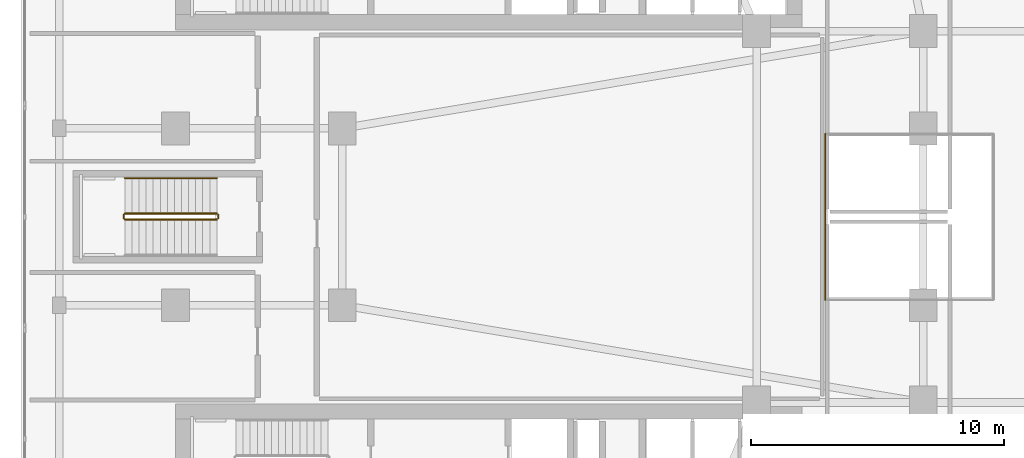
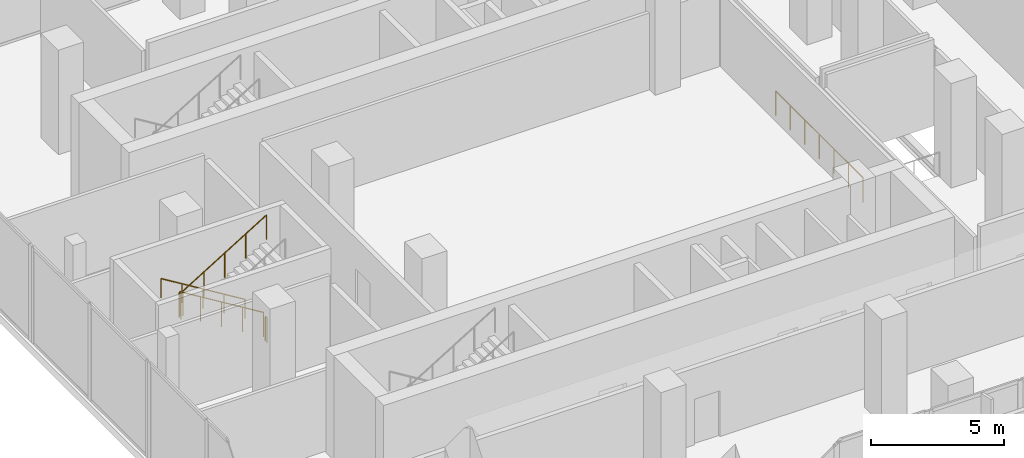
# One storey, part 20 of 30: 6 railings.
"""IFC4 building model written with IfcOpenShell, lengths in metres."""

from ifc_helpers import new_model, si_unit, derived_unit, direction, frame, origin, origin_2d, place, context, subcontext, project, spatial, circle, extrude, material, type_object, element, save


model = new_model("IFC4")

# Units and contexts
model_context = context("Model", 3, precision=1e-05, world=origin(), true_north=direction((0.0, 1.0)))
body_context = subcontext(model_context, "Body", "Model", "MODEL_VIEW")
ifc_project = project(units=[si_unit("LENGTHUNIT", "METRE"), si_unit("AREAUNIT", "SQUARE_METRE"), si_unit("VOLUMEUNIT", "CUBIC_METRE"), si_unit("PLANEANGLEUNIT", "RADIAN"), si_unit("MASSUNIT", "GRAM", prefix="KILO"), derived_unit("THERMALTRANSMITTANCEUNIT", [(si_unit("POWERUNIT", "WATT"), 1), (si_unit("LENGTHUNIT", "METRE"), -2), (si_unit("THERMODYNAMICTEMPERATUREUNIT", "KELVIN"), -1)])], contexts=[model_context])

# Site, building, storey
site_placement = place(None, origin())
site = spatial("IfcSite", under=ifc_project, at=site_placement, CompositionType="ELEMENT")
building_placement = place(site_placement, origin())
building = spatial("IfcBuilding", under=site, at=building_placement, Name="Kivonza Crest Hotel", CompositionType="ELEMENT")
storey_placement = place(building_placement, frame((0.0, 0.0, 10.199951171875)))
storey = spatial("IfcBuildingStorey", under=building, at=storey_placement, Name="L02", CompositionType="ELEMENT", Elevation=10.199951171875)

# Railings
ifc_material_1 = material(Name="Brushed stainless steel handrail", Category="steel")
railing_type_1 = type_object("IfcRailingType", Name="RL-HAND-900", PredefinedType="HANDRAIL", material=ifc_material_1)
railing_1_placement = place(storey_placement, frame((7.840087890625, 26.530029296875, 0.17138671875)))
element("IfcRailing", 1, at=railing_1_placement, inside=storey, type_object=railing_type_1, Name="L02 ST-POD-W stair handrail 1", PredefinedType="HANDRAIL", context=body_context, shape_type="SweptSolid", body=[
    extrude(circle(Radius=0.02392578125, at=origin_2d()), frame((0.0, 0.0, 0.8759765625), z_axis=(-0.852840387347, 0.0, 0.522171689878), x_axis=(0.0, -1.0, 0.0)), (0.0, 0.0, 1.0), 4.268310546875),
    extrude(circle(Radius=0.02099609375, at=origin_2d()), origin(), (0.0, 0.0, 1.0), 0.851806640625),
    extrude(circle(Radius=0.02099609375, at=origin_2d()), frame((-0.91015625, 0.0, 0.55712890625)), (0.0, 0.0, 1.0), 0.851806640625),
    extrude(circle(Radius=0.02099609375, at=origin_2d()), frame((-1.820068359375, 0.0, 1.1142578125)), (0.0, 0.0, 1.0), 0.851806640625),
    extrude(circle(Radius=0.02099609375, at=origin_2d()), frame((-2.72998046875, 0.0, 1.671630859375)), (0.0, 0.0, 1.0), 0.851806640625),
    extrude(circle(Radius=0.02099609375, at=origin_2d()), frame((-3.64013671875, 0.0, 2.228759765625)), (0.0, 0.0, 1.0), 0.851806640625),
])
ifc_material_2 = material(Name="Painted steel balustrade", Category="steel")
railing_type_2 = type_object("IfcRailingType", Name="RL-STAIR-1150", PredefinedType="BALUSTRADE", material=ifc_material_2)
railing_2_placement = place(storey_placement, frame((7.840087890625, 25.1298828125, 0.17138671875)))
element("IfcRailing", 2, at=railing_2_placement, inside=storey, type_object=railing_type_2, Name="L02 ST-POD-W stair guard 1", PredefinedType="BALUSTRADE", context=body_context, shape_type="SweptSolid", body=[
    extrude(circle(Radius=0.02392578125, at=origin_2d()), frame((0.0, 0.0, 1.1259765625), z_axis=(-0.852840387347, 0.0, 0.522171689878), x_axis=(0.0, -1.0, 0.0)), (0.0, 0.0, 1.0), 4.268310546875),
    extrude(circle(Radius=0.02099609375, at=origin_2d()), origin(), (0.0, 0.0, 1.0), 1.101806640625),
    extrude(circle(Radius=0.02099609375, at=origin_2d()), frame((-0.91015625, 0.0, 0.55712890625)), (0.0, 0.0, 1.0), 1.101806640625),
    extrude(circle(Radius=0.02099609375, at=origin_2d()), frame((-1.820068359375, 0.0, 1.1142578125)), (0.0, 0.0, 1.0), 1.101806640625),
    extrude(circle(Radius=0.02099609375, at=origin_2d()), frame((-2.72998046875, 0.0, 1.671630859375)), (0.0, 0.0, 1.0), 1.101806640625),
    extrude(circle(Radius=0.02099609375, at=origin_2d()), frame((-3.64013671875, 0.0, 2.228759765625)), (0.0, 0.0, 1.0), 1.101806640625),
])
railing_3_placement = place(storey_placement, frame((4.14990234375, 25.080078125, 2.400146484375)))
element("IfcRailing", 3, at=railing_3_placement, inside=storey, type_object=railing_type_2, Name="L02 ST-POD-W stair guard 2", PredefinedType="BALUSTRADE", context=body_context, shape_type="SweptSolid", body=[
    extrude(circle(Radius=0.02392578125, at=origin_2d()), frame((0.0, 0.0, 1.1259765625), z_axis=(0.0, -1.0, 0.0), x_axis=(1.0, 0.0, 0.0)), (0.0, 0.0, 1.0), 0.14013671875),
    extrude(circle(Radius=0.02099609375, at=origin_2d()), origin(), (0.0, 0.0, 1.0), 1.101806640625),
    extrude(circle(Radius=0.02099609375, at=origin_2d()), frame((0.0, -0.14013671875, 0.0)), (0.0, 0.0, 1.0), 1.101806640625),
])
railing_4_placement = place(storey_placement, frame((4.199951171875, 24.889892578125, 2.571533203125)))
element("IfcRailing", 4, at=railing_4_placement, inside=storey, type_object=railing_type_2, Name="L02 ST-POD-W stair guard 3", PredefinedType="BALUSTRADE", context=body_context, shape_type="SweptSolid", body=[
    extrude(circle(Radius=0.02392578125, at=origin_2d()), frame((0.0, 0.0, 1.1259765625), z_axis=(0.852865859571, 0.0, 0.52213008492), x_axis=(0.0, 1.0, 0.0)), (0.0, 0.0, 1.0), 4.26806640625),
    extrude(circle(Radius=0.02099609375, at=origin_2d()), origin(), (0.0, 0.0, 1.0), 1.101806640625),
    extrude(circle(Radius=0.02099609375, at=origin_2d()), frame((0.91015625, 0.0, 0.55712890625)), (0.0, 0.0, 1.0), 1.101806640625),
    extrude(circle(Radius=0.02099609375, at=origin_2d()), frame((1.820068359375, 0.0, 1.1142578125)), (0.0, 0.0, 1.0), 1.101806640625),
    extrude(circle(Radius=0.02099609375, at=origin_2d()), frame((2.72998046875, 0.0, 1.67138671875)), (0.0, 0.0, 1.0), 1.101806640625),
    extrude(circle(Radius=0.02099609375, at=origin_2d()), frame((3.64013671875, 0.0, 2.228515625)), (0.0, 0.0, 1.0), 1.101806640625),
])
railing_5_placement = place(storey_placement, frame((7.889892578125, 25.080078125, 0.0)))
element("IfcRailing", 5, at=railing_5_placement, inside=storey, type_object=railing_type_2, Name="L02 ST-POD-W stair guard 4", PredefinedType="BALUSTRADE", context=body_context, shape_type="SweptSolid", body=[
    extrude(circle(Radius=0.02392578125, at=origin_2d()), frame((0.0, 0.0, 1.1259765625), z_axis=(0.0, -1.0, 0.0), x_axis=(1.0, 0.0, 0.0)), (0.0, 0.0, 1.0), 0.14013671875),
    extrude(circle(Radius=0.02099609375, at=origin_2d()), origin(), (0.0, 0.0, 1.0), 1.101806640625),
    extrude(circle(Radius=0.02099609375, at=origin_2d()), frame((0.0, -0.14013671875, 0.0)), (0.0, 0.0, 1.0), 1.101806640625),
])
railing_6_placement = place(storey_placement, frame((31.919921875, 28.280029296875, 0.0)))
element("IfcRailing", 6, at=railing_6_placement, inside=storey, type_object=railing_type_2, Name="L02 podium atrium void safety guard 4", PredefinedType="BALUSTRADE", context=body_context, shape_type="SweptSolid", body=[
    extrude(circle(Radius=0.02392578125, at=origin_2d()), frame((0.0, 0.0, 1.1259765625), z_axis=(0.0, -1.0, 0.0), x_axis=(1.0, 0.0, 0.0)), (0.0, 0.0, 1.0), 6.56005859375),
    extrude(circle(Radius=0.02099609375, at=origin_2d()), origin(), (0.0, 0.0, 1.0), 1.101806640625),
    extrude(circle(Radius=0.02099609375, at=origin_2d()), frame((0.0, -1.09326171875, 0.0)), (0.0, 0.0, 1.0), 1.101806640625),
    extrude(circle(Radius=0.02099609375, at=origin_2d()), frame((0.0, -2.186767578125, 0.0)), (0.0, 0.0, 1.0), 1.101806640625),
    extrude(circle(Radius=0.02099609375, at=origin_2d()), frame((0.0, -3.280029296875, 0.0)), (0.0, 0.0, 1.0), 1.101806640625),
    extrude(circle(Radius=0.02099609375, at=origin_2d()), frame((0.0, -4.373291015625, 0.0)), (0.0, 0.0, 1.0), 1.101806640625),
    extrude(circle(Radius=0.02099609375, at=origin_2d()), frame((0.0, -5.466796875, 0.0)), (0.0, 0.0, 1.0), 1.101806640625),
    extrude(circle(Radius=0.02099609375, at=origin_2d()), frame((0.0, -6.56005859375, 0.0)), (0.0, 0.0, 1.0), 1.101806640625),
])

save(model, "model.ifc")
